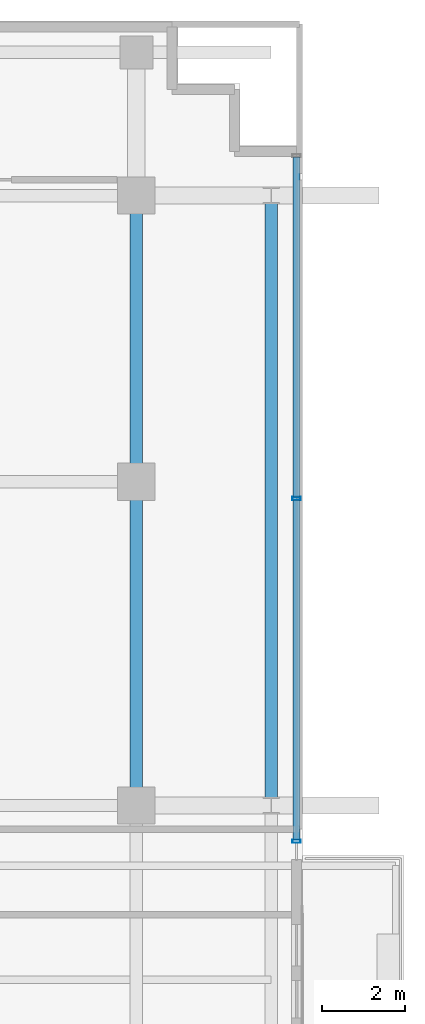
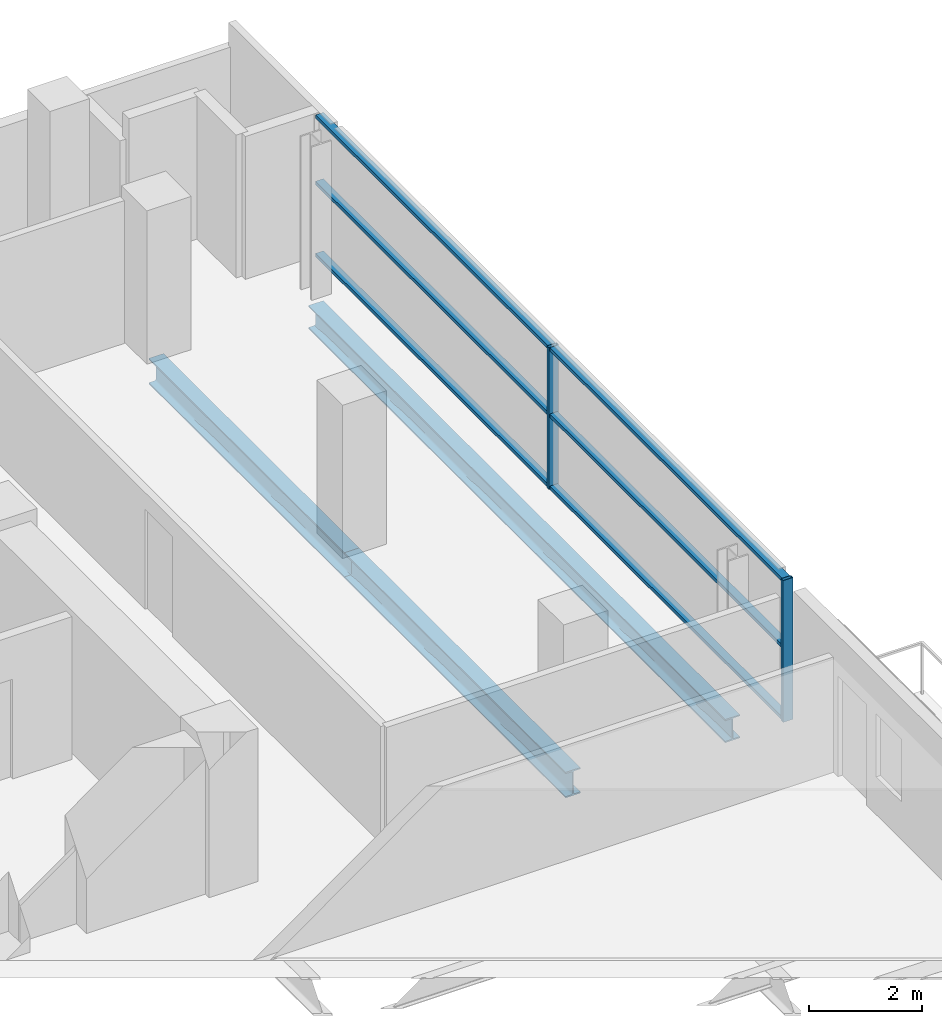
# One storey, part 13 of 27: 8 members, 3 beams, 1 element without a shape of its own.
"""IFC4 building model written with IfcOpenShell, lengths in metres."""

import ifcopenshell
import ifcopenshell.guid

model = None  # the IFC model being written
_history = None  # IfcOwnerHistory: only IFC2X3 demands one
_inside = {}  # id of a spatial element -> (the spatial element, [elements in it])
_under = {}  # id of a project, library or spatial element -> (it, [spatial elements below it])
_declared = {}  # id of a project -> (the project, [libraries it declares])
_typed = {}  # id of a type object -> (the type object, [elements of that type])
_made_of = {}  # id of a material, layer set ... -> (it, [elements and type objects made of it])


def new_model(schema):
    """Start an empty IFC model of exactly this schema.

    Asked for "IFC4X3", IfcOpenShell would pick the latest addendum, in which some entities
    have other attributes; the version numbers below select the first issue.
    IFC2X3 requires an IfcOwnerHistory on every rooted entity: one is made here for all.
    """
    global model, _history
    if schema == "IFC4X3":
        model = ifcopenshell.file(schema_version=(4, 3, 0, 0))
    else:
        model = ifcopenshell.file(schema=schema)
    _inside.clear()
    _under.clear()
    _declared.clear()
    _typed.clear()
    _made_of.clear()
    _history = None
    if model.schema == "IFC2X3":
        org = make("IfcOrganization", Name="unknown")
        user = make(
            "IfcPersonAndOrganization",
            ThePerson=make("IfcPerson", FamilyName="unknown"),
            TheOrganization=org,
        )
        app = make(
            "IfcApplication",
            ApplicationDeveloper=org,
            Version="unknown",
            ApplicationFullName="unknown",
            ApplicationIdentifier="unknown",
        )
        _history = make(
            "IfcOwnerHistory",
            OwningUser=user,
            OwningApplication=app,
            ChangeAction="ADDED",
            CreationDate=0,
        )
    return model


def make(cls, **values):
    """One entity of the class cls with the attributes given. An attribute that is None is left unset."""
    return model.create_entity(
        cls, **{name: value for name, value in values.items() if value is not None}
    )


def rooted(cls, **values):
    """An entity with a GlobalId (a new one), such as an element, a storey or a relation."""
    return make(cls, GlobalId=ifcopenshell.guid.new(), OwnerHistory=_history, **values)


def si_unit(unit_type, name, prefix=None):
    """IfcSIUnit, for example si_unit("LENGTHUNIT", "METRE", prefix="MILLI")."""
    return make("IfcSIUnit", UnitType=unit_type, Prefix=prefix, Name=name)


def assignment(units):
    """IfcUnitAssignment: the units of a project."""
    return None if units is None else make("IfcUnitAssignment", Units=units)


def point(xyz):
    """IfcCartesianPoint."""
    return None if xyz is None else make("IfcCartesianPoint", Coordinates=xyz)


def direction(xyz):
    """IfcDirection."""
    return None if xyz is None else make("IfcDirection", DirectionRatios=xyz)


def frame(location, z_axis=None, x_axis=None):
    """IfcAxis2Placement3D, a coordinate frame: its origin and axes. An axis left out is left unset."""
    return make(
        "IfcAxis2Placement3D",
        Location=point(location),
        Axis=direction(z_axis),
        RefDirection=direction(x_axis),
    )


def frame_2d(location, x_axis=None):
    """IfcAxis2Placement2D, a coordinate frame in the plane: its origin and x axis."""
    return make(
        "IfcAxis2Placement2D", Location=point(location), RefDirection=direction(x_axis)
    )


def origin():
    """The frame at (0, 0, 0) with its axes left unset."""
    return frame((0.0, 0.0, 0.0))


def origin_2d():
    """The frame at (0, 0) in the plane with its x axis left unset."""
    return frame_2d((0.0, 0.0))


def place(relative_to, where):
    """IfcLocalPlacement: puts the frame where relative to a parent placement (None: the world)."""
    return make(
        "IfcLocalPlacement", PlacementRelTo=relative_to, RelativePlacement=where
    )


def context(
    kind, dimensions, precision=None, world=None, true_north=None, identifier=None
):
    """IfcGeometricRepresentationContext, for example the 3D "Model" context."""
    return make(
        "IfcGeometricRepresentationContext",
        ContextIdentifier=identifier,
        ContextType=kind,
        CoordinateSpaceDimension=dimensions,
        Precision=precision,
        WorldCoordinateSystem=world,
        TrueNorth=true_north,
    )


def subcontext(parent, identifier, kind, view, scale=None):
    """IfcGeometricRepresentationSubContext, for example "Body" below "Model"."""
    return make(
        "IfcGeometricRepresentationSubContext",
        ContextIdentifier=identifier,
        ContextType=kind,
        ParentContext=parent,
        TargetScale=scale,
        TargetView=view,
    )


def project(units=None, contexts=None):
    """IfcProject with its units and contexts."""
    return rooted(
        "IfcProject",
        Name="project",
        RepresentationContexts=contexts,
        UnitsInContext=assignment(units),
    )


def spatial(cls, under=None, at=None, **own):
    """A site, building, storey or space (cls), placed at a placement, below another one or the project."""
    s = rooted(cls, ObjectPlacement=at, **own)
    if under is not None:
        _under.setdefault(under.id(), (under, []))[1].append(s)
    return s


def profile(cls, at=None, kind="AREA", **sizes):
    """A parametric profile (cls). Its sizes go by their IFC names, for example OverallWidth=200.0."""
    return make(cls, ProfileType=kind, Position=at, **sizes)


def hollow_rectangle(**sizes):
    """IfcRectangleHollowProfileDef."""
    return profile("IfcRectangleHollowProfileDef", **sizes)


def i_section(**sizes):
    """IfcIShapeProfileDef."""
    return profile("IfcIShapeProfileDef", **sizes)


def extrude(swept, where, along, depth):
    """IfcExtrudedAreaSolid: the profile swept, set in the frame where, extruded along a direction by depth."""
    return make(
        "IfcExtrudedAreaSolid",
        SweptArea=swept,
        Position=where,
        ExtrudedDirection=direction(along),
        Depth=depth,
    )


def shape(context_of_items, identifier, shape_type, items):
    """IfcShapeRepresentation: the items that make up one representation, for example the "Body"."""
    return make(
        "IfcShapeRepresentation",
        ContextOfItems=context_of_items,
        RepresentationIdentifier=identifier,
        RepresentationType=shape_type,
        Items=items,
    )


def source(mapping_origin, context_of_items, identifier, shape_type, items):
    """IfcRepresentationMap: a shape defined once, which mapped items show again and again."""
    return make(
        "IfcRepresentationMap",
        MappingOrigin=mapping_origin,
        MappedRepresentation=shape(context_of_items, identifier, shape_type, items),
    )


def transform(
    local_origin,
    x_axis=None,
    y_axis=None,
    z_axis=None,
    scale=None,
    scale2=None,
    scale3=None,
    uniform=True,
):
    """IfcCartesianTransformationOperator3D, or its non-uniform kind. x_axis, y_axis, z_axis: its Axis1, 2, 3."""
    if uniform:
        return make(
            "IfcCartesianTransformationOperator3D",
            Axis1=direction(x_axis),
            Axis2=direction(y_axis),
            LocalOrigin=point(local_origin),
            Scale=scale,
            Axis3=direction(z_axis),
        )
    return make(
        "IfcCartesianTransformationOperator3DnonUniform",
        Axis1=direction(x_axis),
        Axis2=direction(y_axis),
        LocalOrigin=point(local_origin),
        Scale=scale,
        Axis3=direction(z_axis),
        Scale2=scale2,
        Scale3=scale3,
    )


def mapped(mapping_source, mapping_target):
    """IfcMappedItem: shows the shape of a source again, moved by a transform."""
    return make(
        "IfcMappedItem", MappingSource=mapping_source, MappingTarget=mapping_target
    )


def material(Name=None, Category=None):
    """IfcMaterial."""
    return make("IfcMaterial", Name=Name, Category=Category)


def layer(
    of_material, thickness, ventilated=None, Name=None, Category=None, Priority=None
):
    """IfcMaterialLayer: one layer of a wall or slab, of a material (None: an air gap)."""
    return make(
        "IfcMaterialLayer",
        Material=of_material,
        LayerThickness=thickness,
        IsVentilated=ventilated,
        Name=Name,
        Category=Category,
        Priority=Priority,
    )


def layer_set(layers, Name=None):
    """IfcMaterialLayerSet."""
    return make("IfcMaterialLayerSet", MaterialLayers=layers, LayerSetName=Name)


def material_profile(
    of_material, cross_section, Name=None, Category=None, Priority=None
):
    """IfcMaterialProfile: a cross section and its material."""
    return make(
        "IfcMaterialProfile",
        Name=Name,
        Material=of_material,
        Profile=cross_section,
        Priority=Priority,
        Category=Category,
    )


def profile_set(profiles, Name=None, composite=None):
    """IfcMaterialProfileSet."""
    return make(
        "IfcMaterialProfileSet",
        Name=Name,
        MaterialProfiles=profiles,
        CompositeProfile=composite,
    )


def made_of(thing, what):
    """Note that an element or type object is made of a material, layer set ...; save() writes the relation."""
    if what is not None:
        _made_of.setdefault(what.id(), (what, []))[1].append(thing)
    return thing


def type_object(cls, material=None, **own):
    """A type object (cls), such as IfcWallType, which elements share."""
    return made_of(rooted(cls, **own), material)


def element(
    cls,
    number,
    at=None,
    inside=None,
    cuts=None,
    type_object=None,
    material=None,
    context=None,
    identifier="Body",
    shape_type=None,
    held_by="IfcProductDefinitionShape",
    body=None,
    shapes=None,
    **own,
):
    """One element of the class cls, such as IfcWall. Its Tag is "e" and its number.

    at: its placement. inside: the storey or other place that contains it. cuts: it is an
    opening in that element (IfcRelVoidsElement). A single representation is given by context,
    identifier, shape_type and body (its items); several are given by shapes. held_by: the class
    of the entity that holds the representations. save() writes the other relations.
    """
    e = rooted(cls, Tag="e%d" % number, ObjectPlacement=at, **own)
    if body is not None:
        shapes = [shape(context, identifier, shape_type, body)]
    if shapes is not None:
        e.Representation = make(held_by, Representations=shapes)
    if inside is not None:
        _inside.setdefault(inside.id(), (inside, []))[1].append(e)
    if cuts is not None:
        rooted(
            "IfcRelVoidsElement", RelatingBuildingElement=cuts, RelatedOpeningElement=e
        )
    if type_object is not None:
        _typed.setdefault(type_object.id(), (type_object, []))[1].append(e)
    return made_of(e, material)


def aggregate(whole, parts):
    """IfcRelAggregates: a whole, such as a stair, and the parts it consists of."""
    return rooted("IfcRelAggregates", RelatingObject=whole, RelatedObjects=parts)


def save(model, path):
    """Write the relations noted so far, then the file.

    IfcRelAggregates (storeys below a building ...), IfcRelContainedInSpatialStructure (elements
    in a storey), IfcRelDefinesByType, IfcRelAssociatesMaterial and IfcRelDeclares: one each for
    every whole, place, type object, material and project.
    """
    for whole, parts in _under.values():
        aggregate(whole, parts)
    for where, things in _inside.values():
        rooted(
            "IfcRelContainedInSpatialStructure",
            RelatedElements=things,
            RelatingStructure=where,
        )
    for kind, things in _typed.values():
        rooted("IfcRelDefinesByType", RelatedObjects=things, RelatingType=kind)
    for what, things in _made_of.values():
        rooted("IfcRelAssociatesMaterial", RelatedObjects=things, RelatingMaterial=what)
    for by, libraries in _declared.values():
        rooted("IfcRelDeclares", RelatingContext=by, RelatedDefinitions=libraries)
    model.write(path)


model = new_model("IFC4")

# Units and contexts
model_context = context("Model", 3, precision=1e-05, world=origin(), true_north=direction((0.0, 1.0)))
body_context = subcontext(model_context, "Body", "Model", "MODEL_VIEW")
ifc_project = project(units=[si_unit("LENGTHUNIT", "METRE"), si_unit("AREAUNIT", "SQUARE_METRE"), si_unit("VOLUMEUNIT", "CUBIC_METRE"), si_unit("PLANEANGLEUNIT", "RADIAN"), si_unit("MASSUNIT", "GRAM", prefix="KILO")], contexts=[model_context])

# Site, building, storey
site_placement = place(None, origin())
site = spatial("IfcSite", under=ifc_project, at=site_placement, CompositionType="ELEMENT")
building_placement = place(site_placement, origin())
building = spatial("IfcBuilding", under=site, at=building_placement, Name="Zarnakvel Exchange Tower", CompositionType="ELEMENT")
storey_placement = place(building_placement, frame((0.0, 0.0, 86.800048828125)))
storey = spatial("IfcBuildingStorey", under=building, at=storey_placement, Name="L23", CompositionType="ELEMENT", Elevation=86.800048828125)

# Beams
ifc_material_1 = material(Name="Steel S355", Category="steel")
ifc_material_profile_1 = material_profile(ifc_material_1, i_section(OverallWidth=0.300048828125, OverallDepth=0.550048828125, WebThickness=0.014892578125, FlangeThickness=0.029052734375, FilletRadius=0.027099609375, at=origin_2d()))
ifc_profile_set_1 = profile_set([ifc_material_profile_1], Name="Steel S355")
beam_type_1 = type_object("IfcBeamType", Name="G-05", PredefinedType="BEAM", material=ifc_profile_set_1)
beam_1_placement = place(storey_placement, frame((21.60009765625, -1.199951171875, -0.525146484375), z_axis=(0.0, 1.0, 0.0), x_axis=(-1.0, 0.0, 0.0)))
element("IfcBeam", 1, at=beam_1_placement, inside=storey, type_object=beam_type_1, Name="L23 Tower N-S Frame Beam", PredefinedType="BEAM", context=body_context, shape_type="SweptSolid", body=[
    extrude(i_section(OverallWidth=0.300048828125, OverallDepth=0.550048828125, WebThickness=0.014892578125, FlangeThickness=0.029052734375, FilletRadius=0.027099609375, at=origin_2d()), origin(), (0.0, 0.0, 1.0), 7.800048828125),
])
beam_2_placement = place(storey_placement, frame((21.60009765625, 6.60009765625, -0.525146484375), z_axis=(0.0, 1.0, 0.0), x_axis=(-1.0, 0.0, 0.0)))
element("IfcBeam", 2, at=beam_2_placement, inside=storey, type_object=beam_type_1, Name="L23 Tower N-S Frame Beam", PredefinedType="BEAM", context=body_context, shape_type="SweptSolid", body=[
    extrude(i_section(OverallWidth=0.300048828125, OverallDepth=0.550048828125, WebThickness=0.014892578125, FlangeThickness=0.029052734375, FilletRadius=0.027099609375, at=origin_2d()), origin(), (0.0, 0.0, 1.0), 6.89990234375),
])
ifc_material_profile_2 = material_profile(ifc_material_1, i_section(OverallWidth=0.300048828125, OverallDepth=0.5, WebThickness=0.014404296875, FlangeThickness=0.028076171875, FilletRadius=0.027099609375, at=origin_2d()))
ifc_profile_set_2 = profile_set([ifc_material_profile_2], Name="Steel S355")
beam_type_2 = type_object("IfcBeamType", Name="SP-02", PredefinedType="SPANDREL", material=ifc_profile_set_2)
beam_3_placement = place(storey_placement, frame((24.85009765625, -1.199951171875, -0.5), z_axis=(0.0, 1.0, 0.0), x_axis=(-1.0, 0.0, 0.0)))
element("IfcBeam", 3, at=beam_3_placement, inside=storey, type_object=beam_type_2, Name="L23 Tower N-S Frame Beam", PredefinedType="SPANDREL", context=body_context, shape_type="SweptSolid", body=[
    extrude(i_section(OverallWidth=0.300048828125, OverallDepth=0.5, WebThickness=0.014404296875, FlangeThickness=0.028076171875, FilletRadius=0.027099609375, at=origin_2d()), origin(), (0.0, 0.0, 1.0), 14.699951171875),
])

# Curtain wall, members
ifc_material_2 = material(Name="Architectural Bronze Anodised Aluminium", Category="aluminium")
ifc_layer = layer(ifc_material_2, 0.199951171875)
ifc_layer_set = layer_set([ifc_layer], Name="Architectural Bronze Anodised Aluminium")
curtain_wall_type = type_object("IfcCurtainWallType", Name="CW-04", PredefinedType="NOTDEFINED", material=ifc_layer_set)
curtain_wall_placement = place(storey_placement, origin())
curtain_wall = element("IfcCurtainWall", 4, at=curtain_wall_placement, inside=storey, type_object=curtain_wall_type, Name="L23 Curtain Wall CW-L23-EN (CW-04)", PredefinedType="NOTDEFINED")
ifc_material_profile_3 = material_profile(ifc_material_2, hollow_rectangle(XDim=0.199951171875, YDim=0.074951171875, WallThickness=0.0048828125, at=origin_2d()))
ifc_profile_set_3 = profile_set([ifc_material_profile_3], Name="Architectural Bronze Anodised Aluminium")
member_type_1 = type_object("IfcMemberType", Name="CWM-04", PredefinedType="MULLION", material=ifc_profile_set_3)
shared_shape_1 = source(origin(), body_context, "Body", "SweptSolid", [
    extrude(hollow_rectangle(XDim=0.199951171875, YDim=0.074951171875, WallThickness=0.0048828125, at=origin_2d()), origin(), (0.0, 0.0, 1.0), 3.054931640625),
])
member_1_placement = place(storey_placement, frame((25.4599609375, -2.0625, 0.0), z_axis=(0.0, 0.0, 1.0), x_axis=(-1.0, 0.0, 0.0)))
member_1 = element("IfcMember", 5, at=member_1_placement, type_object=member_type_1, Name="CW-04 mullion 1", PredefinedType="MULLION", context=body_context, shape_type="MappedRepresentation", body=[
    mapped(shared_shape_1, transform((0.0, 0.0, 0.0), x_axis=(1.0, 0.0, 0.0), y_axis=(0.0, 1.0, 0.0), z_axis=(0.0, 0.0, 1.0), scale=1.0)),
])
member_2_placement = place(storey_placement, frame((25.4599609375, 6.199951171875, 0.0), z_axis=(0.0, 0.0, 1.0), x_axis=(-1.0, 0.0, 0.0)))
member_2 = element("IfcMember", 6, at=member_2_placement, type_object=member_type_1, Name="CW-04 mullion 2", PredefinedType="MULLION", context=body_context, shape_type="MappedRepresentation", body=[
    mapped(shared_shape_1, transform((0.0, 0.0, 0.0), x_axis=(1.0, 0.0, 0.0), y_axis=(0.0, 1.0, 0.0), z_axis=(0.0, 0.0, 1.0), scale=1.0)),
])
ifc_material_profile_4 = material_profile(ifc_material_2, hollow_rectangle(XDim=0.159912109375, YDim=0.074951171875, WallThickness=0.00390625, at=origin_2d()))
ifc_profile_set_4 = profile_set([ifc_material_profile_4], Name="Architectural Bronze Anodised Aluminium")
member_type_2 = type_object("IfcMemberType", Name="CWT-04", PredefinedType="USERDEFINED", material=ifc_profile_set_4)
shared_shape_2 = source(origin(), body_context, "Body", "SweptSolid", [
    extrude(hollow_rectangle(XDim=0.159912109375, YDim=0.074951171875, WallThickness=0.00390625, at=origin_2d()), origin(), (0.0, 0.0, 1.0), 8.1875),
])
member_3_placement = place(storey_placement, frame((25.4599609375, -2.02490234375, 0.037353515625), z_axis=(0.0, 1.0, 0.0), x_axis=(-1.0, 0.0, 0.0)))
member_3 = element("IfcMember", 7, at=member_3_placement, type_object=member_type_2, Name="CW-04 transom 1.1", ObjectType="TRANSOM", PredefinedType="USERDEFINED", context=body_context, shape_type="MappedRepresentation", body=[
    mapped(shared_shape_2, transform((0.0, 0.0, 0.0), x_axis=(1.0, 0.0, 0.0), y_axis=(0.0, 1.0, 0.0), z_axis=(0.0, 0.0, 1.0), scale=1.0)),
])
member_4_placement = place(storey_placement, frame((25.4599609375, -2.02490234375, 1.588623046875), z_axis=(0.0, 1.0, 0.0), x_axis=(-1.0, 0.0, 0.0)))
member_4 = element("IfcMember", 8, at=member_4_placement, type_object=member_type_2, Name="CW-04 transom 1.2", ObjectType="TRANSOM", PredefinedType="USERDEFINED", context=body_context, shape_type="MappedRepresentation", body=[
    mapped(shared_shape_2, transform((0.0, 0.0, 0.0), x_axis=(1.0, 0.0, 0.0), y_axis=(0.0, 1.0, 0.0), z_axis=(0.0, 0.0, 1.0), scale=1.0)),
])
member_5_placement = place(storey_placement, frame((25.4599609375, -2.02490234375, 3.017333984375), z_axis=(0.0, 1.0, 0.0), x_axis=(-1.0, 0.0, 0.0)))
member_5 = element("IfcMember", 9, at=member_5_placement, type_object=member_type_2, Name="CW-04 transom 1.3", ObjectType="TRANSOM", PredefinedType="USERDEFINED", context=body_context, shape_type="MappedRepresentation", body=[
    mapped(shared_shape_2, transform((0.0, 0.0, 0.0), x_axis=(1.0, 0.0, 0.0), y_axis=(0.0, 1.0, 0.0), z_axis=(0.0, 0.0, 1.0), scale=1.0)),
])
member_6_placement = place(storey_placement, frame((25.4599609375, 6.237548828125, 0.037353515625), z_axis=(0.0, 1.0, 0.0), x_axis=(-1.0, 0.0, 0.0)))
member_6 = element("IfcMember", 10, at=member_6_placement, type_object=member_type_2, Name="CW-04 transom 2.1", ObjectType="TRANSOM", PredefinedType="USERDEFINED", context=body_context, shape_type="MappedRepresentation", body=[
    mapped(shared_shape_2, transform((0.0, 0.0, 0.0), x_axis=(1.0, 0.0, 0.0), y_axis=(0.0, 1.0, 0.0), z_axis=(0.0, 0.0, 1.0), scale=1.0)),
])
member_7_placement = place(storey_placement, frame((25.4599609375, 6.237548828125, 1.588623046875), z_axis=(0.0, 1.0, 0.0), x_axis=(-1.0, 0.0, 0.0)))
member_7 = element("IfcMember", 11, at=member_7_placement, type_object=member_type_2, Name="CW-04 transom 2.2", ObjectType="TRANSOM", PredefinedType="USERDEFINED", context=body_context, shape_type="MappedRepresentation", body=[
    mapped(shared_shape_2, transform((0.0, 0.0, 0.0), x_axis=(1.0, 0.0, 0.0), y_axis=(0.0, 1.0, 0.0), z_axis=(0.0, 0.0, 1.0), scale=1.0)),
])
member_8_placement = place(storey_placement, frame((25.4599609375, 6.237548828125, 3.017333984375), z_axis=(0.0, 1.0, 0.0), x_axis=(-1.0, 0.0, 0.0)))
member_8 = element("IfcMember", 12, at=member_8_placement, type_object=member_type_2, Name="CW-04 transom 2.3", ObjectType="TRANSOM", PredefinedType="USERDEFINED", context=body_context, shape_type="MappedRepresentation", body=[
    mapped(shared_shape_2, transform((0.0, 0.0, 0.0), x_axis=(1.0, 0.0, 0.0), y_axis=(0.0, 1.0, 0.0), z_axis=(0.0, 0.0, 1.0), scale=1.0)),
])
aggregate(curtain_wall, [member_1, member_2, member_3, member_4, member_5, member_6, member_7, member_8])

save(model, "model.ifc")
